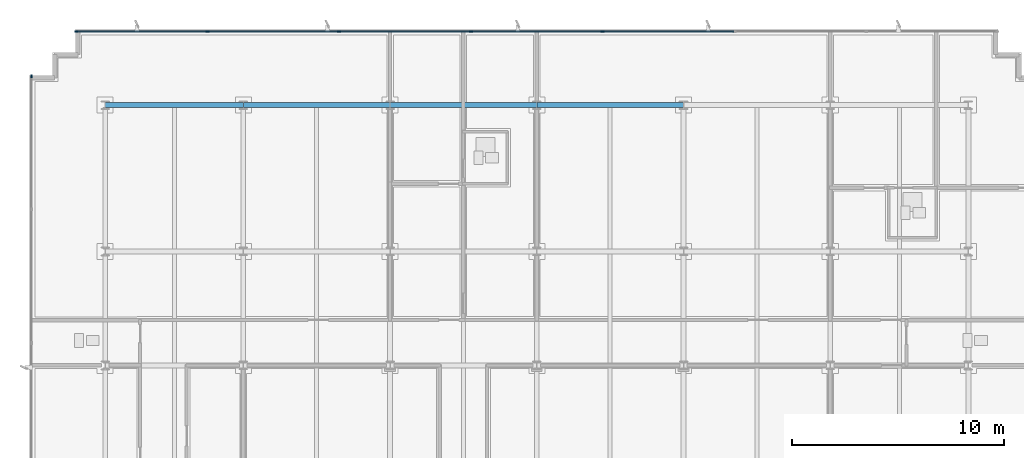
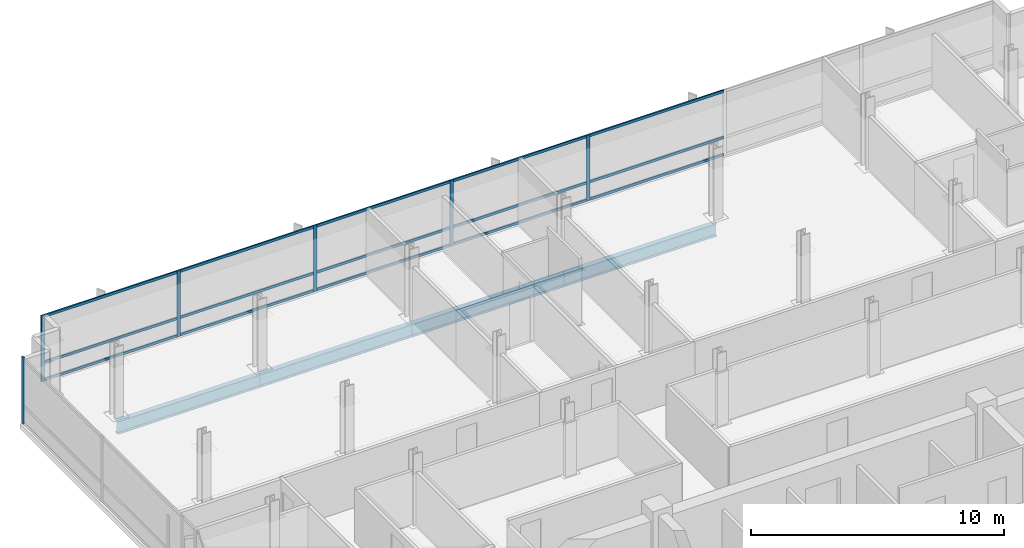
# One storey, part 7 of 18: 21 members, 4 beams, 2 elements without a shape of their own.
"""IFC4 building model written with IfcOpenShell, lengths in metres."""

import ifcopenshell
import ifcopenshell.guid

model = None  # the IFC model being written
_history = None  # IfcOwnerHistory: only IFC2X3 demands one
_inside = {}  # id of a spatial element -> (the spatial element, [elements in it])
_under = {}  # id of a project, library or spatial element -> (it, [spatial elements below it])
_declared = {}  # id of a project -> (the project, [libraries it declares])
_typed = {}  # id of a type object -> (the type object, [elements of that type])
_made_of = {}  # id of a material, layer set ... -> (it, [elements and type objects made of it])


def new_model(schema):
    """Start an empty IFC model of exactly this schema.

    Asked for "IFC4X3", IfcOpenShell would pick the latest addendum, in which some entities
    have other attributes; the version numbers below select the first issue.
    IFC2X3 requires an IfcOwnerHistory on every rooted entity: one is made here for all.
    """
    global model, _history
    if schema == "IFC4X3":
        model = ifcopenshell.file(schema_version=(4, 3, 0, 0))
    else:
        model = ifcopenshell.file(schema=schema)
    _inside.clear()
    _under.clear()
    _declared.clear()
    _typed.clear()
    _made_of.clear()
    _history = None
    if model.schema == "IFC2X3":
        org = make("IfcOrganization", Name="unknown")
        user = make(
            "IfcPersonAndOrganization",
            ThePerson=make("IfcPerson", FamilyName="unknown"),
            TheOrganization=org,
        )
        app = make(
            "IfcApplication",
            ApplicationDeveloper=org,
            Version="unknown",
            ApplicationFullName="unknown",
            ApplicationIdentifier="unknown",
        )
        _history = make(
            "IfcOwnerHistory",
            OwningUser=user,
            OwningApplication=app,
            ChangeAction="ADDED",
            CreationDate=0,
        )
    return model


def make(cls, **values):
    """One entity of the class cls with the attributes given. An attribute that is None is left unset."""
    return model.create_entity(
        cls, **{name: value for name, value in values.items() if value is not None}
    )


def rooted(cls, **values):
    """An entity with a GlobalId (a new one), such as an element, a storey or a relation."""
    return make(cls, GlobalId=ifcopenshell.guid.new(), OwnerHistory=_history, **values)


def si_unit(unit_type, name, prefix=None):
    """IfcSIUnit, for example si_unit("LENGTHUNIT", "METRE", prefix="MILLI")."""
    return make("IfcSIUnit", UnitType=unit_type, Prefix=prefix, Name=name)


def assignment(units):
    """IfcUnitAssignment: the units of a project."""
    return None if units is None else make("IfcUnitAssignment", Units=units)


def point(xyz):
    """IfcCartesianPoint."""
    return None if xyz is None else make("IfcCartesianPoint", Coordinates=xyz)


def direction(xyz):
    """IfcDirection."""
    return None if xyz is None else make("IfcDirection", DirectionRatios=xyz)


def frame(location, z_axis=None, x_axis=None):
    """IfcAxis2Placement3D, a coordinate frame: its origin and axes. An axis left out is left unset."""
    return make(
        "IfcAxis2Placement3D",
        Location=point(location),
        Axis=direction(z_axis),
        RefDirection=direction(x_axis),
    )


def frame_2d(location, x_axis=None):
    """IfcAxis2Placement2D, a coordinate frame in the plane: its origin and x axis."""
    return make(
        "IfcAxis2Placement2D", Location=point(location), RefDirection=direction(x_axis)
    )


def origin():
    """The frame at (0, 0, 0) with its axes left unset."""
    return frame((0.0, 0.0, 0.0))


def origin_2d():
    """The frame at (0, 0) in the plane with its x axis left unset."""
    return frame_2d((0.0, 0.0))


def place(relative_to, where):
    """IfcLocalPlacement: puts the frame where relative to a parent placement (None: the world)."""
    return make(
        "IfcLocalPlacement", PlacementRelTo=relative_to, RelativePlacement=where
    )


def context(
    kind, dimensions, precision=None, world=None, true_north=None, identifier=None
):
    """IfcGeometricRepresentationContext, for example the 3D "Model" context."""
    return make(
        "IfcGeometricRepresentationContext",
        ContextIdentifier=identifier,
        ContextType=kind,
        CoordinateSpaceDimension=dimensions,
        Precision=precision,
        WorldCoordinateSystem=world,
        TrueNorth=true_north,
    )


def subcontext(parent, identifier, kind, view, scale=None):
    """IfcGeometricRepresentationSubContext, for example "Body" below "Model"."""
    return make(
        "IfcGeometricRepresentationSubContext",
        ContextIdentifier=identifier,
        ContextType=kind,
        ParentContext=parent,
        TargetScale=scale,
        TargetView=view,
    )


def project(units=None, contexts=None):
    """IfcProject with its units and contexts."""
    return rooted(
        "IfcProject",
        Name="project",
        RepresentationContexts=contexts,
        UnitsInContext=assignment(units),
    )


def spatial(cls, under=None, at=None, **own):
    """A site, building, storey or space (cls), placed at a placement, below another one or the project."""
    s = rooted(cls, ObjectPlacement=at, **own)
    if under is not None:
        _under.setdefault(under.id(), (under, []))[1].append(s)
    return s


def profile(cls, at=None, kind="AREA", **sizes):
    """A parametric profile (cls). Its sizes go by their IFC names, for example OverallWidth=200.0."""
    return make(cls, ProfileType=kind, Position=at, **sizes)


def rectangle(**sizes):
    """IfcRectangleProfileDef."""
    return profile("IfcRectangleProfileDef", **sizes)


def i_section(**sizes):
    """IfcIShapeProfileDef."""
    return profile("IfcIShapeProfileDef", **sizes)


def extrude(swept, where, along, depth):
    """IfcExtrudedAreaSolid: the profile swept, set in the frame where, extruded along a direction by depth."""
    return make(
        "IfcExtrudedAreaSolid",
        SweptArea=swept,
        Position=where,
        ExtrudedDirection=direction(along),
        Depth=depth,
    )


def shape(context_of_items, identifier, shape_type, items):
    """IfcShapeRepresentation: the items that make up one representation, for example the "Body"."""
    return make(
        "IfcShapeRepresentation",
        ContextOfItems=context_of_items,
        RepresentationIdentifier=identifier,
        RepresentationType=shape_type,
        Items=items,
    )


def material(Name=None, Category=None):
    """IfcMaterial."""
    return make("IfcMaterial", Name=Name, Category=Category)


def material_profile(
    of_material, cross_section, Name=None, Category=None, Priority=None
):
    """IfcMaterialProfile: a cross section and its material."""
    return make(
        "IfcMaterialProfile",
        Name=Name,
        Material=of_material,
        Profile=cross_section,
        Priority=Priority,
        Category=Category,
    )


def profile_set(profiles, Name=None, composite=None):
    """IfcMaterialProfileSet."""
    return make(
        "IfcMaterialProfileSet",
        Name=Name,
        MaterialProfiles=profiles,
        CompositeProfile=composite,
    )


def made_of(thing, what):
    """Note that an element or type object is made of a material, layer set ...; save() writes the relation."""
    if what is not None:
        _made_of.setdefault(what.id(), (what, []))[1].append(thing)
    return thing


def type_object(cls, material=None, **own):
    """A type object (cls), such as IfcWallType, which elements share."""
    return made_of(rooted(cls, **own), material)


def element(
    cls,
    number,
    at=None,
    inside=None,
    cuts=None,
    type_object=None,
    material=None,
    context=None,
    identifier="Body",
    shape_type=None,
    held_by="IfcProductDefinitionShape",
    body=None,
    shapes=None,
    **own,
):
    """One element of the class cls, such as IfcWall. Its Tag is "e" and its number.

    at: its placement. inside: the storey or other place that contains it. cuts: it is an
    opening in that element (IfcRelVoidsElement). A single representation is given by context,
    identifier, shape_type and body (its items); several are given by shapes. held_by: the class
    of the entity that holds the representations. save() writes the other relations.
    """
    e = rooted(cls, Tag="e%d" % number, ObjectPlacement=at, **own)
    if body is not None:
        shapes = [shape(context, identifier, shape_type, body)]
    if shapes is not None:
        e.Representation = make(held_by, Representations=shapes)
    if inside is not None:
        _inside.setdefault(inside.id(), (inside, []))[1].append(e)
    if cuts is not None:
        rooted(
            "IfcRelVoidsElement", RelatingBuildingElement=cuts, RelatedOpeningElement=e
        )
    if type_object is not None:
        _typed.setdefault(type_object.id(), (type_object, []))[1].append(e)
    return made_of(e, material)


def aggregate(whole, parts):
    """IfcRelAggregates: a whole, such as a stair, and the parts it consists of."""
    return rooted("IfcRelAggregates", RelatingObject=whole, RelatedObjects=parts)


def save(model, path):
    """Write the relations noted so far, then the file.

    IfcRelAggregates (storeys below a building ...), IfcRelContainedInSpatialStructure (elements
    in a storey), IfcRelDefinesByType, IfcRelAssociatesMaterial and IfcRelDeclares: one each for
    every whole, place, type object, material and project.
    """
    for whole, parts in _under.values():
        aggregate(whole, parts)
    for where, things in _inside.values():
        rooted(
            "IfcRelContainedInSpatialStructure",
            RelatedElements=things,
            RelatingStructure=where,
        )
    for kind, things in _typed.values():
        rooted("IfcRelDefinesByType", RelatedObjects=things, RelatingType=kind)
    for what, things in _made_of.values():
        rooted("IfcRelAssociatesMaterial", RelatedObjects=things, RelatingMaterial=what)
    for by, libraries in _declared.values():
        rooted("IfcRelDeclares", RelatingContext=by, RelatedDefinitions=libraries)
    model.write(path)


model = new_model("IFC4")

# Units and contexts
model_context = context("Model", 3, precision=1e-05, world=origin(), true_north=direction((0.0, 1.0)))
body_context = subcontext(model_context, "Body", "Model", "MODEL_VIEW")
ifc_project = project(units=[si_unit("LENGTHUNIT", "METRE"), si_unit("AREAUNIT", "SQUARE_METRE"), si_unit("VOLUMEUNIT", "CUBIC_METRE"), si_unit("PLANEANGLEUNIT", "RADIAN"), si_unit("MASSUNIT", "GRAM", prefix="KILO")], contexts=[model_context])

# Site, building, storey
site_placement = place(None, origin())
site = spatial("IfcSite", under=ifc_project, at=site_placement, CompositionType="ELEMENT")
building_placement = place(site_placement, origin())
building = spatial("IfcBuilding", under=site, at=building_placement, Name="Solmavex Isthmus Hotel", CompositionType="ELEMENT")
storey_placement = place(building_placement, frame((0.0, 0.0, 283.35009765625)))
storey = spatial("IfcBuildingStorey", under=building, at=storey_placement, Name="L77", CompositionType="ELEMENT", Elevation=283.35009765625)

# Beams
ifc_material_1 = material(Name="Steel ASTM A992 Grade 50", Category="steel")
ifc_material_profile_1 = material_profile(ifc_material_1, i_section(OverallWidth=0.230224609375, OverallDepth=0.617431640625, WebThickness=0.01318359375, FlangeThickness=0.022216796875, FilletRadius=0.01513671875, at=origin_2d()), Name="W24X94")
ifc_profile_set_1 = profile_set([ifc_material_profile_1], Name="Steel ASTM A992 Grade 50")
beam_type = type_object("IfcBeamType", Name="BM-SP-W24X94", PredefinedType="SPANDREL", material=ifc_profile_set_1)
beam_placement = place(storey_placement, frame((-20.39990234375, 17.699951171875, -0.56884765625), z_axis=(1.0, 0.0, 0.0), x_axis=(0.0, 1.0, 0.0)))
element("IfcBeam", 1, at=beam_placement, inside=storey, type_object=beam_type, Name="Floor Girder L77-UG15", PredefinedType="SPANDREL", context=body_context, shape_type="SweptSolid", body=[
    extrude(i_section(OverallWidth=0.230224609375, OverallDepth=0.617431640625, WebThickness=0.01318359375, FlangeThickness=0.022216796875, FilletRadius=0.01513671875, at=origin_2d()), origin(), (0.0, 0.0, 1.0), 6.52783203125),
])
for number, where, z_axis, x_axis, name in (
    (2, (-13.8720703125, 17.699951171875, -0.56884765625), (1.0, 0.0, 0.0), (0.0, 1.0, 0.0), "Floor Girder L77-UG16"),
    (3, (-6.93603515625, 17.699951171875, -0.56884765625), (1.0, 0.0, 0.0), (0.0, 1.0, 0.0), "Floor Girder L77-UG17"),
    (4, (0.0, 17.699951171875, -0.56884765625), (1.0, 0.0, 0.0), (0.0, 1.0, 0.0), "Floor Girder L77-UG18"),
):
    element("IfcBeam", number, at=place(storey_placement, frame(where, z_axis=z_axis, x_axis=x_axis)), inside=storey, type_object=beam_type, Name=name, PredefinedType="SPANDREL", context=body_context, shape_type="SweptSolid", body=[
        extrude(i_section(OverallWidth=0.230224609375, OverallDepth=0.617431640625, WebThickness=0.01318359375, FlangeThickness=0.022216796875, FilletRadius=0.01513671875, at=origin_2d()), origin(), (0.0, 0.0, 1.0), 6.93603515625),
    ])

# Curtain wall, members
ifc_material_2 = material(Name="Aluminium alloy 6063-T6", Category="aluminium")
curtain_wall_type = type_object("IfcCurtainWallType", Name="CW-SYS-05", PredefinedType="NOTDEFINED", material=ifc_material_2)
curtain_wall_1_placement = place(storey_placement, origin())
curtain_wall_1 = element("IfcCurtainWall", 5, at=curtain_wall_1_placement, inside=storey, type_object=curtain_wall_type, Name="Stick Curtain Wall CWL-L77-N1", PredefinedType="NOTDEFINED")
ifc_material_profile_2 = material_profile(ifc_material_2, rectangle(XDim=0.06494140625, YDim=0.159912109375, at=origin_2d()), Name="CWM-65X160")
ifc_profile_set_2 = profile_set([ifc_material_profile_2], Name="Aluminium alloy 6063-T6")
member_type_1 = type_object("IfcMemberType", Name="CW-SYS-05-MUL", PredefinedType="MULLION", material=ifc_profile_set_2)
member_1_placement = place(storey_placement, frame((-21.767578125, 21.179931640625, 0.0), z_axis=(0.0, 0.0, 1.0), x_axis=(0.0, 1.0, 0.0)))
member_1 = element("IfcMember", 6, at=member_1_placement, type_object=member_type_1, Name="CW-05 mullion 1", PredefinedType="MULLION", context=body_context, shape_type="SweptSolid", body=[
    extrude(rectangle(XDim=0.06494140625, YDim=0.159912109375, at=origin_2d()), origin(), (0.0, 0.0, 1.0), 3.18994140625),
])
member_2_placement = place(storey_placement, frame((-15.571533203125, 21.179931640625, 0.0), z_axis=(0.0, 0.0, 1.0), x_axis=(0.0, 1.0, 0.0)))
member_2 = element("IfcMember", 7, at=member_2_placement, type_object=member_type_1, Name="CW-05 mullion 2", PredefinedType="MULLION", context=body_context, shape_type="SweptSolid", body=[
    extrude(rectangle(XDim=0.06494140625, YDim=0.159912109375, at=origin_2d()), origin(), (0.0, 0.0, 1.0), 3.18994140625),
])
member_3_placement = place(storey_placement, frame((-9.3427734375, 21.179931640625, 0.0), z_axis=(0.0, 0.0, 1.0), x_axis=(0.0, 1.0, 0.0)))
member_3 = element("IfcMember", 8, at=member_3_placement, type_object=member_type_1, Name="CW-05 mullion 3", PredefinedType="MULLION", context=body_context, shape_type="SweptSolid", body=[
    extrude(rectangle(XDim=0.06494140625, YDim=0.159912109375, at=origin_2d()), origin(), (0.0, 0.0, 1.0), 3.18994140625),
])
member_4_placement = place(storey_placement, frame((-3.1142578125, 21.179931640625, 0.0), z_axis=(0.0, 0.0, 1.0), x_axis=(0.0, 1.0, 0.0)))
member_4 = element("IfcMember", 9, at=member_4_placement, type_object=member_type_1, Name="CW-05 mullion 4", PredefinedType="MULLION", context=body_context, shape_type="SweptSolid", body=[
    extrude(rectangle(XDim=0.06494140625, YDim=0.159912109375, at=origin_2d()), origin(), (0.0, 0.0, 1.0), 3.18994140625),
])
member_5_placement = place(storey_placement, frame((3.1142578125, 21.179931640625, 0.0), z_axis=(0.0, 0.0, 1.0), x_axis=(0.0, 1.0, 0.0)))
member_5 = element("IfcMember", 10, at=member_5_placement, type_object=member_type_1, Name="CW-05 mullion 5", PredefinedType="MULLION", context=body_context, shape_type="SweptSolid", body=[
    extrude(rectangle(XDim=0.06494140625, YDim=0.159912109375, at=origin_2d()), origin(), (0.0, 0.0, 1.0), 3.18994140625),
])

# Curtain wall, member
curtain_wall_2_placement = place(storey_placement, origin())
curtain_wall_2 = element("IfcCurtainWall", 11, at=curtain_wall_2_placement, inside=storey, type_object=curtain_wall_type, Name="Stick Curtain Wall CWL-L77-W1", PredefinedType="NOTDEFINED")
member_6_placement = place(storey_placement, frame((-23.8798828125, 19.0673828125, 0.0), z_axis=(0.0, 0.0, 1.0), x_axis=(-1.0, 0.0, 0.0)))
member_6 = element("IfcMember", 12, at=member_6_placement, type_object=member_type_1, Name="CW-05 mullion 6", PredefinedType="MULLION", context=body_context, shape_type="SweptSolid", body=[
    extrude(rectangle(XDim=0.06494140625, YDim=0.159912109375, at=origin_2d()), origin(), (0.0, 0.0, 1.0), 3.18994140625),
])
aggregate(curtain_wall_2, [member_6])

# Member
ifc_material_profile_3 = material_profile(ifc_material_2, rectangle(XDim=0.06494140625, YDim=0.125, at=origin_2d()), Name="CWT-65X125")
ifc_profile_set_3 = profile_set([ifc_material_profile_3], Name="Aluminium alloy 6063-T6")
member_type_2 = type_object("IfcMemberType", Name="CW-SYS-05-TRN", PredefinedType="USERDEFINED", material=ifc_profile_set_3)
member_7_placement = place(storey_placement, frame((-21.735107421875, 21.179931640625, 0.0625), z_axis=(1.0, 0.0, 0.0), x_axis=(0.0, 1.0, 0.0)))
member_7 = element("IfcMember", 13, at=member_7_placement, type_object=member_type_2, Name="CW-05 transom 1.1", ObjectType="TRANSOM", PredefinedType="USERDEFINED", context=body_context, shape_type="SweptSolid", body=[
    extrude(rectangle(XDim=0.06494140625, YDim=0.125, at=origin_2d()), origin(), (0.0, 0.0, 1.0), 6.131103515625),
])

member_8_placement = place(storey_placement, frame((-21.735107421875, 21.179931640625, 0.89990234375), z_axis=(1.0, 0.0, 0.0), x_axis=(0.0, 1.0, 0.0)))
member_8 = element("IfcMember", 14, at=member_8_placement, type_object=member_type_2, Name="CW-05 transom 1.2", ObjectType="TRANSOM", PredefinedType="USERDEFINED", context=body_context, shape_type="SweptSolid", body=[
    extrude(rectangle(XDim=0.06494140625, YDim=0.125, at=origin_2d()), origin(), (0.0, 0.0, 1.0), 6.131103515625),
])

member_9_placement = place(storey_placement, frame((-21.735107421875, 21.179931640625, 3.12744140625), z_axis=(1.0, 0.0, 0.0), x_axis=(0.0, 1.0, 0.0)))
member_9 = element("IfcMember", 15, at=member_9_placement, type_object=member_type_2, Name="CW-05 transom 1.3", ObjectType="TRANSOM", PredefinedType="USERDEFINED", context=body_context, shape_type="SweptSolid", body=[
    extrude(rectangle(XDim=0.06494140625, YDim=0.125, at=origin_2d()), origin(), (0.0, 0.0, 1.0), 6.131103515625),
])

member_10_placement = place(storey_placement, frame((-15.538818359375, 21.179931640625, 0.0625), z_axis=(1.0, 0.0, 0.0), x_axis=(0.0, 1.0, 0.0)))
member_10 = element("IfcMember", 16, at=member_10_placement, type_object=member_type_2, Name="CW-05 transom 2.1", ObjectType="TRANSOM", PredefinedType="USERDEFINED", context=body_context, shape_type="SweptSolid", body=[
    extrude(rectangle(XDim=0.06494140625, YDim=0.125, at=origin_2d()), origin(), (0.0, 0.0, 1.0), 6.16357421875),
])

member_11_placement = place(storey_placement, frame((-15.538818359375, 21.179931640625, 0.89990234375), z_axis=(1.0, 0.0, 0.0), x_axis=(0.0, 1.0, 0.0)))
member_11 = element("IfcMember", 17, at=member_11_placement, type_object=member_type_2, Name="CW-05 transom 2.2", ObjectType="TRANSOM", PredefinedType="USERDEFINED", context=body_context, shape_type="SweptSolid", body=[
    extrude(rectangle(XDim=0.06494140625, YDim=0.125, at=origin_2d()), origin(), (0.0, 0.0, 1.0), 6.16357421875),
])

member_12_placement = place(storey_placement, frame((-15.538818359375, 21.179931640625, 3.12744140625), z_axis=(1.0, 0.0, 0.0), x_axis=(0.0, 1.0, 0.0)))
member_12 = element("IfcMember", 18, at=member_12_placement, type_object=member_type_2, Name="CW-05 transom 2.3", ObjectType="TRANSOM", PredefinedType="USERDEFINED", context=body_context, shape_type="SweptSolid", body=[
    extrude(rectangle(XDim=0.06494140625, YDim=0.125, at=origin_2d()), origin(), (0.0, 0.0, 1.0), 6.16357421875),
])

member_13_placement = place(storey_placement, frame((-9.310302734375, 21.179931640625, 0.0625), z_axis=(1.0, 0.0, 0.0), x_axis=(0.0, 1.0, 0.0)))
member_13 = element("IfcMember", 19, at=member_13_placement, type_object=member_type_2, Name="CW-05 transom 3.1", ObjectType="TRANSOM", PredefinedType="USERDEFINED", context=body_context, shape_type="SweptSolid", body=[
    extrude(rectangle(XDim=0.06494140625, YDim=0.125, at=origin_2d()), origin(), (0.0, 0.0, 1.0), 6.16357421875),
])

member_14_placement = place(storey_placement, frame((-9.310302734375, 21.179931640625, 0.89990234375), z_axis=(1.0, 0.0, 0.0), x_axis=(0.0, 1.0, 0.0)))
member_14 = element("IfcMember", 20, at=member_14_placement, type_object=member_type_2, Name="CW-05 transom 3.2", ObjectType="TRANSOM", PredefinedType="USERDEFINED", context=body_context, shape_type="SweptSolid", body=[
    extrude(rectangle(XDim=0.06494140625, YDim=0.125, at=origin_2d()), origin(), (0.0, 0.0, 1.0), 6.16357421875),
])

member_15_placement = place(storey_placement, frame((-9.310302734375, 21.179931640625, 3.12744140625), z_axis=(1.0, 0.0, 0.0), x_axis=(0.0, 1.0, 0.0)))
member_15 = element("IfcMember", 21, at=member_15_placement, type_object=member_type_2, Name="CW-05 transom 3.3", ObjectType="TRANSOM", PredefinedType="USERDEFINED", context=body_context, shape_type="SweptSolid", body=[
    extrude(rectangle(XDim=0.06494140625, YDim=0.125, at=origin_2d()), origin(), (0.0, 0.0, 1.0), 6.16357421875),
])

member_16_placement = place(storey_placement, frame((-3.081787109375, 21.179931640625, 0.0625), z_axis=(1.0, 0.0, 0.0), x_axis=(0.0, 1.0, 0.0)))
member_16 = element("IfcMember", 22, at=member_16_placement, type_object=member_type_2, Name="CW-05 transom 4.1", ObjectType="TRANSOM", PredefinedType="USERDEFINED", context=body_context, shape_type="SweptSolid", body=[
    extrude(rectangle(XDim=0.06494140625, YDim=0.125, at=origin_2d()), origin(), (0.0, 0.0, 1.0), 6.16357421875),
])

member_17_placement = place(storey_placement, frame((-3.081787109375, 21.179931640625, 0.89990234375), z_axis=(1.0, 0.0, 0.0), x_axis=(0.0, 1.0, 0.0)))
member_17 = element("IfcMember", 23, at=member_17_placement, type_object=member_type_2, Name="CW-05 transom 4.2", ObjectType="TRANSOM", PredefinedType="USERDEFINED", context=body_context, shape_type="SweptSolid", body=[
    extrude(rectangle(XDim=0.06494140625, YDim=0.125, at=origin_2d()), origin(), (0.0, 0.0, 1.0), 6.16357421875),
])

member_18_placement = place(storey_placement, frame((-3.081787109375, 21.179931640625, 3.12744140625), z_axis=(1.0, 0.0, 0.0), x_axis=(0.0, 1.0, 0.0)))
member_18 = element("IfcMember", 24, at=member_18_placement, type_object=member_type_2, Name="CW-05 transom 4.3", ObjectType="TRANSOM", PredefinedType="USERDEFINED", context=body_context, shape_type="SweptSolid", body=[
    extrude(rectangle(XDim=0.06494140625, YDim=0.125, at=origin_2d()), origin(), (0.0, 0.0, 1.0), 6.16357421875),
])

member_19_placement = place(storey_placement, frame((3.146728515625, 21.179931640625, 0.0625), z_axis=(1.0, 0.0, 0.0), x_axis=(0.0, 1.0, 0.0)))
member_19 = element("IfcMember", 25, at=member_19_placement, type_object=member_type_2, Name="CW-05 transom 5.1", ObjectType="TRANSOM", PredefinedType="USERDEFINED", context=body_context, shape_type="SweptSolid", body=[
    extrude(rectangle(XDim=0.06494140625, YDim=0.125, at=origin_2d()), origin(), (0.0, 0.0, 1.0), 6.16357421875),
])

member_20_placement = place(storey_placement, frame((3.146728515625, 21.179931640625, 0.89990234375), z_axis=(1.0, 0.0, 0.0), x_axis=(0.0, 1.0, 0.0)))
member_20 = element("IfcMember", 26, at=member_20_placement, type_object=member_type_2, Name="CW-05 transom 5.2", ObjectType="TRANSOM", PredefinedType="USERDEFINED", context=body_context, shape_type="SweptSolid", body=[
    extrude(rectangle(XDim=0.06494140625, YDim=0.125, at=origin_2d()), origin(), (0.0, 0.0, 1.0), 6.16357421875),
])

member_21_placement = place(storey_placement, frame((3.146728515625, 21.179931640625, 3.12744140625), z_axis=(1.0, 0.0, 0.0), x_axis=(0.0, 1.0, 0.0)))
member_21 = element("IfcMember", 27, at=member_21_placement, type_object=member_type_2, Name="CW-05 transom 5.3", ObjectType="TRANSOM", PredefinedType="USERDEFINED", context=body_context, shape_type="SweptSolid", body=[
    extrude(rectangle(XDim=0.06494140625, YDim=0.125, at=origin_2d()), origin(), (0.0, 0.0, 1.0), 6.16357421875),
])

aggregate(curtain_wall_1, [member_1, member_2, member_3, member_4, member_5, member_7, member_8, member_9, member_10, member_11, member_12, member_13, member_14, member_15, member_16, member_17, member_18, member_19, member_20, member_21])

save(model, "model.ifc")
